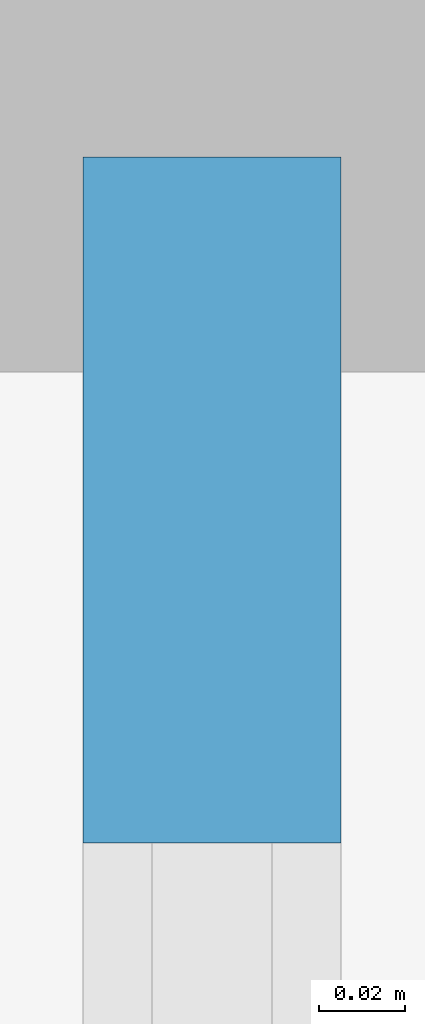
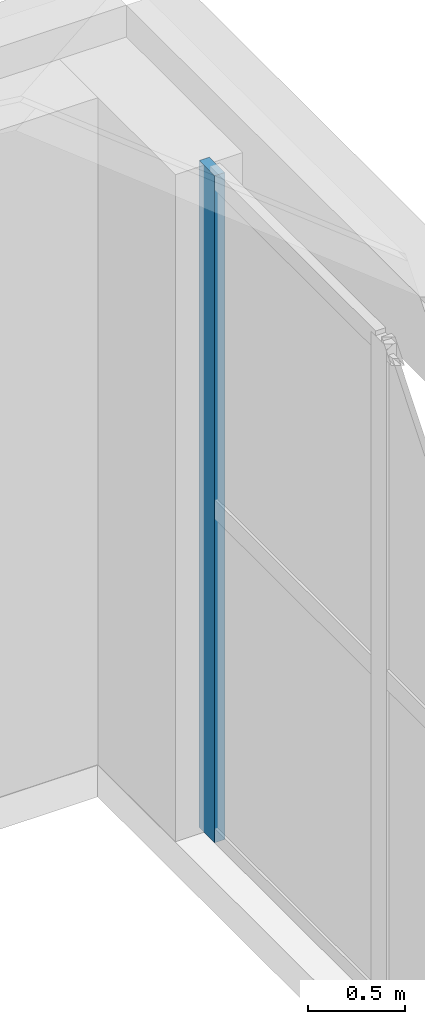
# One storey, part 46 of 127: 1 member, 1 element without a shape of its own.
"""IFC4 building model written with IfcOpenShell, lengths in metres."""

from ifc_helpers import new_model, si_unit, direction, frame, origin, origin_2d, place, context, subcontext, project, spatial, rectangle, extrude, material, material_profile, profile_set, type_object, element, aggregate, save


model = new_model("IFC4")

# Units and contexts
model_context = context("Model", 3, precision=1e-05, world=origin(), true_north=direction((0.0, 1.0)))
body_context = subcontext(model_context, "Body", "Model", "MODEL_VIEW")
ifc_project = project(units=[si_unit("LENGTHUNIT", "METRE"), si_unit("AREAUNIT", "SQUARE_METRE"), si_unit("VOLUMEUNIT", "CUBIC_METRE"), si_unit("PLANEANGLEUNIT", "RADIAN"), si_unit("MASSUNIT", "GRAM", prefix="KILO")], contexts=[model_context])

# Site, building, storey
site_placement = place(None, origin())
site = spatial("IfcSite", under=ifc_project, at=site_placement, CompositionType="ELEMENT")
building_placement = place(site_placement, origin())
building = spatial("IfcBuilding", under=site, at=building_placement, Name="Verrick Yard Athletic Hall", CompositionType="ELEMENT")
storey_placement = place(building_placement, frame((0.0, 0.0, 14.0)))
storey = spatial("IfcBuildingStorey", under=building, at=storey_placement, Name="L03", CompositionType="ELEMENT", Elevation=14.0)

# Curtain wall, member
ifc_material = material(Name="Aluminium 6063-T5", Category="aluminium")
curtain_wall_type = type_object("IfcCurtainWallType", Name="Core glazing strip", PredefinedType="NOTDEFINED", material=ifc_material)
curtain_wall_placement = place(storey_placement, origin())
curtain_wall = element("IfcCurtainWall", 1, at=curtain_wall_placement, inside=storey, type_object=curtain_wall_type, Name="CORE-CB4-CW-L03", PredefinedType="NOTDEFINED")
ifc_material_profile = material_profile(ifc_material, rectangle(XDim=0.06005859375, YDim=0.159912109375, at=origin_2d()), Name="Core glazing mullion 60x160")
ifc_profile_set = profile_set([ifc_material_profile], Name="Aluminium 6063-T5")
member_type = type_object("IfcMemberType", Name="Core glazing mullion 60x160", PredefinedType="MULLION", material=ifc_profile_set)
member_placement = place(storey_placement, frame((165.800048828125, 52.77001953125, 0.0), z_axis=(0.0, 0.0, 1.0), x_axis=(-1.0, 0.0, 0.0)))
member = element("IfcMember", 2, at=member_placement, type_object=member_type, Name="CW5 mullion 3", PredefinedType="MULLION", context=body_context, shape_type="SweptSolid", body=[
    extrude(rectangle(XDim=0.06005859375, YDim=0.159912109375, at=origin_2d()), origin(), (0.0, 0.0, 1.0), 4.199951171875),
])
aggregate(curtain_wall, [member])

save(model, "model.ifc")
